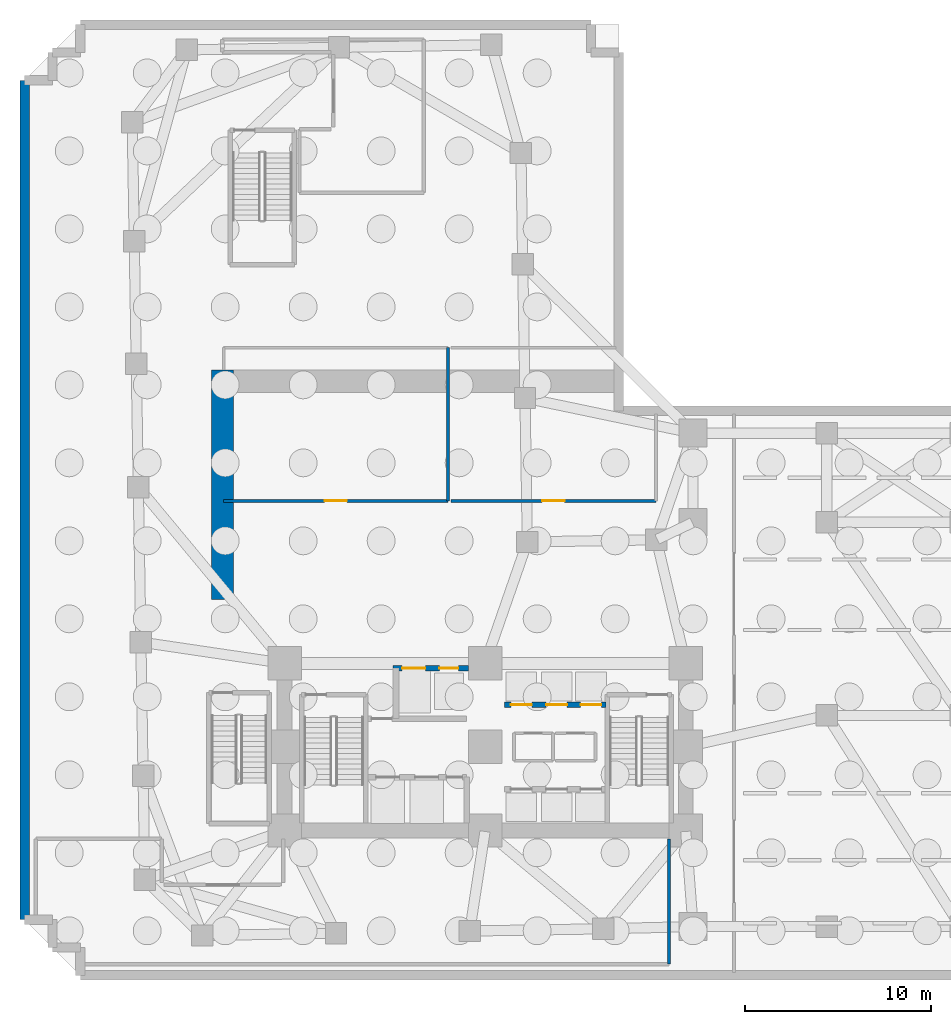
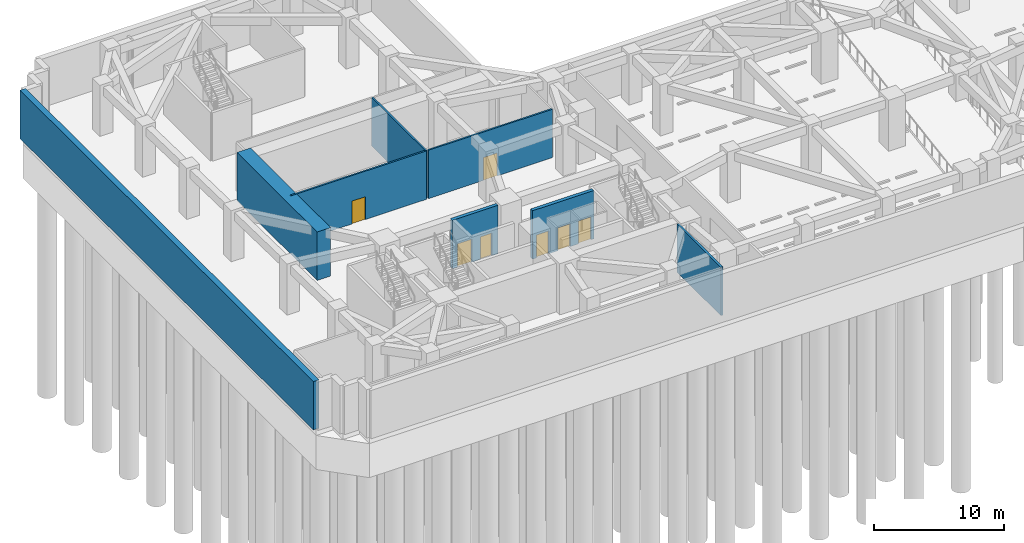
# One storey, part 5 of 11: 8 walls, 7 doors, 7 openings.
"""IFC4 building model written with IfcOpenShell, lengths in metres."""

from ifc_helpers import new_model, si_unit, direction, frame, frame_2d, origin, place, context, subcontext, project, spatial, rectangle, extrude, material, layer, layer_set, type_object, element, fill, save


model = new_model("IFC4")

# Units and contexts
model_context = context("Model", 3, precision=1e-05, world=origin(), true_north=direction((0.0, 1.0)))
body_context = subcontext(model_context, "Body", "Model", "MODEL_VIEW")
ifc_project = project(units=[si_unit("LENGTHUNIT", "METRE"), si_unit("AREAUNIT", "SQUARE_METRE"), si_unit("VOLUMEUNIT", "CUBIC_METRE"), si_unit("PLANEANGLEUNIT", "RADIAN"), si_unit("MASSUNIT", "GRAM", prefix="KILO")], contexts=[model_context])

# Site, building, storey
site_placement = place(None, origin())
site = spatial("IfcSite", under=ifc_project, at=site_placement, CompositionType="ELEMENT")
building_placement = place(site_placement, origin())
building = spatial("IfcBuilding", under=site, at=building_placement, Name="Gaonmaruhae Medical Tower", CompositionType="ELEMENT")
storey_placement = place(building_placement, frame((0.0, 0.0, -9.60009765625)))
storey = spatial("IfcBuildingStorey", under=building, at=storey_placement, Name="B02", CompositionType="ELEMENT", Elevation=-9.60009765625)

# Wall
ifc_material_1 = material(Name="Gypsum board partition", Category="gypsum")
ifc_layer_1 = layer(ifc_material_1, 0.14990234375)
ifc_layer_set_1 = layer_set([ifc_layer_1], Name="Gypsum board partition")
wall_type_1 = type_object("IfcWallType", Name="PW-150 Rated Clinical Corridor Partition", PredefinedType="PARTITIONING", material=ifc_layer_set_1)
wall_1_placement = place(storey_placement, frame((22.800048828125, 33.800048828125, 0.0), z_axis=(0.0, 0.0, 1.0), x_axis=(0.0, -1.0, 0.0)))
element("IfcWall", 1, at=wall_1_placement, inside=storey, type_object=wall_type_1, Name="B02 Interior Partition B02-VLT1-8", PredefinedType="PARTITIONING", context=body_context, shape_type="SweptSolid", body=[
    extrude(rectangle(XDim=8.25, YDim=0.14990234375, at=frame_2d((4.125, 0.0))), origin(), (0.0, 0.0, 1.0), 4.550048828125),
])

# Wall, opening, door
wall_2_placement = place(storey_placement, frame((22.800048828125, 25.550048828125, 0.0), z_axis=(0.0, 0.0, 1.0), x_axis=(-1.0, 0.0, 0.0)))
wall_2 = element("IfcWall", 2, at=wall_2_placement, inside=storey, type_object=wall_type_1, Name="B02 Interior Partition B02-VLT1-9", PredefinedType="PARTITIONING", context=body_context, shape_type="SweptSolid", body=[
    extrude(rectangle(XDim=12.080078125, YDim=0.14990234375, at=frame_2d((6.0400390625, 0.0))), origin(), (0.0, 0.0, 1.0), 4.550048828125),
])
opening_1_placement = place(wall_2_placement, frame((5.43994140625, 0.0, 0.0)))
opening_1 = element("IfcOpeningElement", 3, at=opening_1_placement, cuts=wall_2, Name="Opening CD-02", PredefinedType="OPENING", context=body_context, shape_type="SweptSolid", body=[
    extrude(rectangle(XDim=1.199951171875, YDim=2.14990234375, at=frame_2d((0.60009765625, 1.074951171875))), frame((0.0, 0.0849609375, 0.0), z_axis=(0.0, -1.0, 0.0), x_axis=(1.0, 0.0, 0.0)), (0.0, 0.0, 1.0), 0.169921875),
])
ifc_material_2 = material(Name="Antimicrobial laminate timber fire door", Category="wood")
door_type_1 = type_object("IfcDoorType", Name="CD-02 Clinical Treatment & Procedure Door 1200x2150", OperationType="NOTDEFINED", PredefinedType="DOOR", material=ifc_material_2)
door_1_placement = place(opening_1_placement, origin())
door_1 = element("IfcDoor", 4, at=door_1_placement, inside=storey, type_object=door_type_1, Name="B02 Linear Accelerator Radiation Oncology Department Door", OperationType="SINGLE_SWING_RIGHT", OverallHeight=2.14990234375, OverallWidth=1.199951171875, PredefinedType="DOOR", context=body_context, shape_type="SweptSolid", body=[
    extrude(rectangle(XDim=1.199951171875, YDim=2.14990234375, at=frame_2d((0.60009765625, 1.074951171875))), frame((0.0, 0.02490234375, 0.0), z_axis=(0.0, -1.0, 0.0), x_axis=(1.0, 0.0, 0.0)), (0.0, 0.0, 1.0), 0.050048828125),
])
fill(opening_1, door_1)

wall_3_placement = place(storey_placement, frame((34.0, 25.550048828125, 0.0), z_axis=(0.0, 0.0, 1.0), x_axis=(-1.0, 0.0, 0.0)))
wall_3 = element("IfcWall", 5, at=wall_3_placement, inside=storey, type_object=wall_type_1, Name="B02 Interior Partition B02-VLT2-13", PredefinedType="PARTITIONING", context=body_context, shape_type="SweptSolid", body=[
    extrude(rectangle(XDim=11.050048828125, YDim=0.14990234375, at=frame_2d((5.52490234375, 0.0))), origin(), (0.0, 0.0, 1.0), 4.550048828125),
])
opening_2_placement = place(wall_3_placement, frame((4.925048828125, 0.0, 0.0)))
opening_2 = element("IfcOpeningElement", 6, at=opening_2_placement, cuts=wall_3, Name="Opening CD-02", PredefinedType="OPENING", context=body_context, shape_type="SweptSolid", body=[
    extrude(rectangle(XDim=1.199951171875, YDim=2.14990234375, at=frame_2d((0.60009765625, 1.074951171875))), frame((0.0, 0.0849609375, 0.0), z_axis=(0.0, -1.0, 0.0), x_axis=(1.0, 0.0, 0.0)), (0.0, 0.0, 1.0), 0.169921875),
])
door_2_placement = place(opening_2_placement, origin())
door_2 = element("IfcDoor", 7, at=door_2_placement, inside=storey, type_object=door_type_1, Name="B02 Proton Cyclotron Shielded Vault Suite Door", OperationType="SINGLE_SWING_RIGHT", OverallHeight=2.14990234375, OverallWidth=1.199951171875, PredefinedType="DOOR", context=body_context, shape_type="SweptSolid", body=[
    extrude(rectangle(XDim=1.199951171875, YDim=2.14990234375, at=frame_2d((0.60009765625, 1.074951171875))), frame((0.0, 0.02490234375, 0.0), z_axis=(0.0, -1.0, 0.0), x_axis=(1.0, 0.0, 0.0)), (0.0, 0.0, 1.0), 0.050048828125),
])
fill(opening_2, door_2)

# Walls
ifc_layer_2 = layer(ifc_material_1, 0.179931640625)
ifc_layer_set_2 = layer_set([ifc_layer_2], Name="Gypsum board partition")
wall_type_2 = type_object("IfcWallType", Name="PW-180 Refuge & Plant Acoustic Fire Partition", PredefinedType="PARTITIONING", material=ifc_layer_set_2)
wall_4_placement = place(storey_placement, frame((34.699951171875, 7.35009765625, 0.0), z_axis=(0.0, 0.0, 1.0), x_axis=(0.0, -1.0, 0.0)))
element("IfcWall", 8, at=wall_4_placement, inside=storey, type_object=wall_type_2, Name="B02 Interior Partition B02-ELEC-28", PredefinedType="PARTITIONING", context=body_context, shape_type="SweptSolid", body=[
    extrude(rectangle(XDim=6.75, YDim=0.179931640625, at=frame_2d((3.375, 0.0))), origin(), (0.0, 0.0, 1.0), 4.550048828125),
])
ifc_material_3 = material(Name="Concrete C50/60", Category="concrete")
ifc_layer_3 = layer(ifc_material_3, 0.5)
ifc_layer_set_3 = layer_set([ifc_layer_3], Name="Concrete C50/60")
wall_type_3 = type_object("IfcWallType", Name="RW-500 Basement Perimeter Retaining Wall", PredefinedType="USERDEFINED", material=ifc_layer_set_3)
wall_5_placement = place(storey_placement, frame((0.0, 3.0, 0.0), z_axis=(0.0, 0.0, 1.0), x_axis=(0.0, 1.0, 0.0)))
element("IfcWall", 9, at=wall_5_placement, inside=storey, type_object=wall_type_3, Name="B02 Perimeter Retaining Wall RW18", ObjectType="RETAININGWALL", PredefinedType="USERDEFINED", context=body_context, shape_type="SweptSolid", body=[
    extrude(rectangle(XDim=45.199951171875, YDim=0.5, at=frame_2d((22.60009765625, 0.0))), origin(), (0.0, 0.0, 1.0), 4.550048828125),
])

# Wall, openings, doors
ifc_layer_4 = layer(ifc_material_3, 0.300048828125)
ifc_layer_set_4 = layer_set([ifc_layer_4], Name="Concrete C50/60")
wall_type_4 = type_object("IfcWallType", Name="SW-300 Stair & Lift Hoistway Shaft Wall", PredefinedType="SOLIDWALL", material=ifc_layer_set_4)
wall_6_placement = place(storey_placement, frame((19.85009765625, 16.550048828125, 0.0), z_axis=(0.0, 0.0, 1.0), x_axis=(1.0, 0.0, 0.0)))
wall_6 = element("IfcWall", 10, at=wall_6_placement, inside=storey, type_object=wall_type_4, Name="B02 Core Shear Wall CSW-NB", PredefinedType="SOLIDWALL", context=body_context, shape_type="SweptSolid", body=[
    extrude(rectangle(XDim=4.0498046875, YDim=0.300048828125, at=frame_2d((2.02490234375, 0.0))), origin(), (0.0, 0.0, 1.0), 4.550048828125),
])
opening_3_placement = place(wall_6_placement, frame((0.47509765625, 0.0, 0.0)))
opening_3 = element("IfcOpeningElement", 11, at=opening_3_placement, cuts=wall_6, Name="Opening LD-F1", PredefinedType="OPENING", context=body_context, shape_type="SweptSolid", body=[
    extrude(rectangle(XDim=1.25, YDim=2.179931640625, at=frame_2d((0.625, 1.08984375))), frame((0.0, 0.16015625, 0.0), z_axis=(0.0, -1.0, 0.0), x_axis=(1.0, 0.0, 0.0)), (0.0, 0.0, 1.0), 0.320068359375),
])
opening_4_placement = place(wall_6_placement, frame((2.489990234375, 0.0, 0.0)))
opening_4 = element("IfcOpeningElement", 12, at=opening_4_placement, cuts=wall_6, Name="Opening LD-S1", PredefinedType="OPENING", context=body_context, shape_type="SweptSolid", body=[
    extrude(rectangle(XDim=1.02001953125, YDim=2.1201171875, at=frame_2d((0.510009765625, 1.06005859375))), frame((0.0, 0.16015625, 0.0), z_axis=(0.0, -1.0, 0.0), x_axis=(1.0, 0.0, 0.0)), (0.0, 0.0, 1.0), 0.320068359375),
])
ifc_material_4 = material(Name="Brushed stainless steel 316L landing door", Category="steel")
door_type_2 = type_object("IfcDoorType", Name="LD-F1 Firefighting & Bed Lift Sliding Landing Door 1250x2180", OperationType="NOTDEFINED", PredefinedType="DOOR", material=ifc_material_4)
door_3_placement = place(opening_3_placement, origin())
door_3 = element("IfcDoor", 13, at=door_3_placement, inside=storey, type_object=door_type_2, Name="B02 Service/Bed Lift Landing Door BDL-01", OperationType="DOUBLE_DOOR_SLIDING", OverallHeight=2.179931640625, OverallWidth=1.25, PredefinedType="DOOR", context=body_context, shape_type="SweptSolid", body=[
    extrude(rectangle(XDim=1.25, YDim=2.179931640625, at=frame_2d((0.625, 1.08984375))), frame((0.0, 0.02490234375, 0.0), z_axis=(0.0, -1.0, 0.0), x_axis=(1.0, 0.0, 0.0)), (0.0, 0.0, 1.0), 0.050048828125),
])
fill(opening_3, door_3)
ifc_material_5 = material(Name="Brushed stainless steel 304 landing door", Category="steel")
door_type_3 = type_object("IfcDoorType", Name="LD-S1 Service Lift Sliding Landing Door 1020x2120", OperationType="NOTDEFINED", PredefinedType="DOOR", material=ifc_material_5)
door_4_placement = place(opening_4_placement, origin())
door_4 = element("IfcDoor", 14, at=door_4_placement, inside=storey, type_object=door_type_3, Name="B02 Service/Bed Lift Landing Door SVL-01", OperationType="SLIDING_TO_LEFT", OverallHeight=2.1201171875, OverallWidth=1.02001953125, PredefinedType="DOOR", context=body_context, shape_type="SweptSolid", body=[
    extrude(rectangle(XDim=1.02001953125, YDim=2.1201171875, at=frame_2d((0.510009765625, 1.06005859375))), frame((0.0, 0.02490234375, 0.0), z_axis=(0.0, -1.0, 0.0), x_axis=(1.0, 0.0, 0.0)), (0.0, 0.0, 1.0), 0.050048828125),
])
fill(opening_4, door_4)

wall_7_placement = place(storey_placement, frame((25.85009765625, 14.580078125, 0.0), z_axis=(0.0, 0.0, 1.0), x_axis=(1.0, 0.0, 0.0)))
wall_7 = element("IfcWall", 15, at=wall_7_placement, inside=storey, type_object=wall_type_4, Name="B02 Shaft Enclosure Wall SHW-PLN", PredefinedType="SOLIDWALL", context=body_context, shape_type="SweptSolid", body=[
    extrude(rectangle(XDim=5.449951171875, YDim=0.300048828125, at=frame_2d((2.72509765625, 0.0))), origin(), (0.0, 0.0, 1.0), 4.550048828125),
])
opening_5_placement = place(wall_7_placement, frame((0.340087890625, 0.0, 0.0)))
opening_5 = element("IfcOpeningElement", 16, at=opening_5_placement, cuts=wall_7, Name="Opening LD-P1", PredefinedType="OPENING", context=body_context, shape_type="SweptSolid", body=[
    extrude(rectangle(XDim=1.1201171875, YDim=2.14990234375, at=frame_2d((0.56005859375, 1.074951171875))), frame((0.0, 0.16015625, 0.0), z_axis=(0.0, -1.0, 0.0), x_axis=(1.0, 0.0, 0.0)), (0.0, 0.0, 1.0), 0.320068359375),
])
opening_6_placement = place(wall_7_placement, frame((2.239990234375, 0.0, 0.0)))
opening_6 = element("IfcOpeningElement", 17, at=opening_6_placement, cuts=wall_7, Name="Opening LD-P1", PredefinedType="OPENING", context=body_context, shape_type="SweptSolid", body=[
    extrude(rectangle(XDim=1.1201171875, YDim=2.14990234375, at=frame_2d((0.56005859375, 1.074951171875))), frame((0.0, 0.16015625, 0.0), z_axis=(0.0, -1.0, 0.0), x_axis=(1.0, 0.0, 0.0)), (0.0, 0.0, 1.0), 0.320068359375),
])
opening_7_placement = place(wall_7_placement, frame((4.090087890625, 0.0, 0.0)))
opening_7 = element("IfcOpeningElement", 18, at=opening_7_placement, cuts=wall_7, Name="Opening LD-P1", PredefinedType="OPENING", context=body_context, shape_type="SweptSolid", body=[
    extrude(rectangle(XDim=1.1201171875, YDim=2.14990234375, at=frame_2d((0.56005859375, 1.074951171875))), frame((0.0, 0.16015625, 0.0), z_axis=(0.0, -1.0, 0.0), x_axis=(1.0, 0.0, 0.0)), (0.0, 0.0, 1.0), 0.320068359375),
])
door_type_4 = type_object("IfcDoorType", Name="LD-P1 Passenger Lift Sliding Landing Door 1120x2150", OperationType="NOTDEFINED", PredefinedType="DOOR", material=ifc_material_5)
door_5_placement = place(opening_5_placement, origin())
door_5 = element("IfcDoor", 19, at=door_5_placement, inside=storey, type_object=door_type_4, Name="B02 Passenger Lift Landing Door PL-M1", OperationType="DOUBLE_DOOR_SLIDING", OverallHeight=2.14990234375, OverallWidth=1.1201171875, PredefinedType="DOOR", context=body_context, shape_type="SweptSolid", body=[
    extrude(rectangle(XDim=1.1201171875, YDim=2.14990234375, at=frame_2d((0.56005859375, 1.074951171875))), frame((0.0, 0.02490234375, 0.0), z_axis=(0.0, -1.0, 0.0), x_axis=(1.0, 0.0, 0.0)), (0.0, 0.0, 1.0), 0.050048828125),
])
fill(opening_5, door_5)
door_6_placement = place(opening_6_placement, origin())
door_6 = element("IfcDoor", 20, at=door_6_placement, inside=storey, type_object=door_type_4, Name="B02 Passenger Lift Landing Door PL-M2", OperationType="DOUBLE_DOOR_SLIDING", OverallHeight=2.14990234375, OverallWidth=1.1201171875, PredefinedType="DOOR", context=body_context, shape_type="SweptSolid", body=[
    extrude(rectangle(XDim=1.1201171875, YDim=2.14990234375, at=frame_2d((0.56005859375, 1.074951171875))), frame((0.0, 0.02490234375, 0.0), z_axis=(0.0, -1.0, 0.0), x_axis=(1.0, 0.0, 0.0)), (0.0, 0.0, 1.0), 0.050048828125),
])
fill(opening_6, door_6)
door_7_placement = place(opening_7_placement, origin())
door_7 = element("IfcDoor", 21, at=door_7_placement, inside=storey, type_object=door_type_4, Name="B02 Passenger Lift Landing Door PL-H2", OperationType="DOUBLE_DOOR_SLIDING", OverallHeight=2.14990234375, OverallWidth=1.1201171875, PredefinedType="DOOR", context=body_context, shape_type="SweptSolid", body=[
    extrude(rectangle(XDim=1.1201171875, YDim=2.14990234375, at=frame_2d((0.56005859375, 1.074951171875))), frame((0.0, 0.02490234375, 0.0), z_axis=(0.0, -1.0, 0.0), x_axis=(1.0, 0.0, 0.0)), (0.0, 0.0, 1.0), 0.050048828125),
])
fill(opening_7, door_7)

# Wall
ifc_layer_5 = layer(ifc_material_3, 1.199951171875)
ifc_layer_set_5 = layer_set([ifc_layer_5], Name="Concrete C50/60")
wall_type_5 = type_object("IfcWallType", Name="VW-1200 Radiation Oncology Shielding Vault Wall", PredefinedType="SOLIDWALL", material=ifc_layer_set_5)
wall_8_placement = place(storey_placement, frame((10.64990234375, 20.25, 0.0), z_axis=(0.0, 0.0, 1.0), x_axis=(0.0, 1.0, 0.0)))
element("IfcWall", 22, at=wall_8_placement, inside=storey, type_object=wall_type_5, Name="B02 Radiation Shielding Vault Wall 1", PredefinedType="SOLIDWALL", context=body_context, shape_type="SweptSolid", body=[
    extrude(rectangle(XDim=12.35009765625, YDim=1.199951171875, at=frame_2d((6.175048828125, 0.0))), origin(), (0.0, 0.0, 1.0), 4.550048828125),
])

save(model, "model.ifc")
